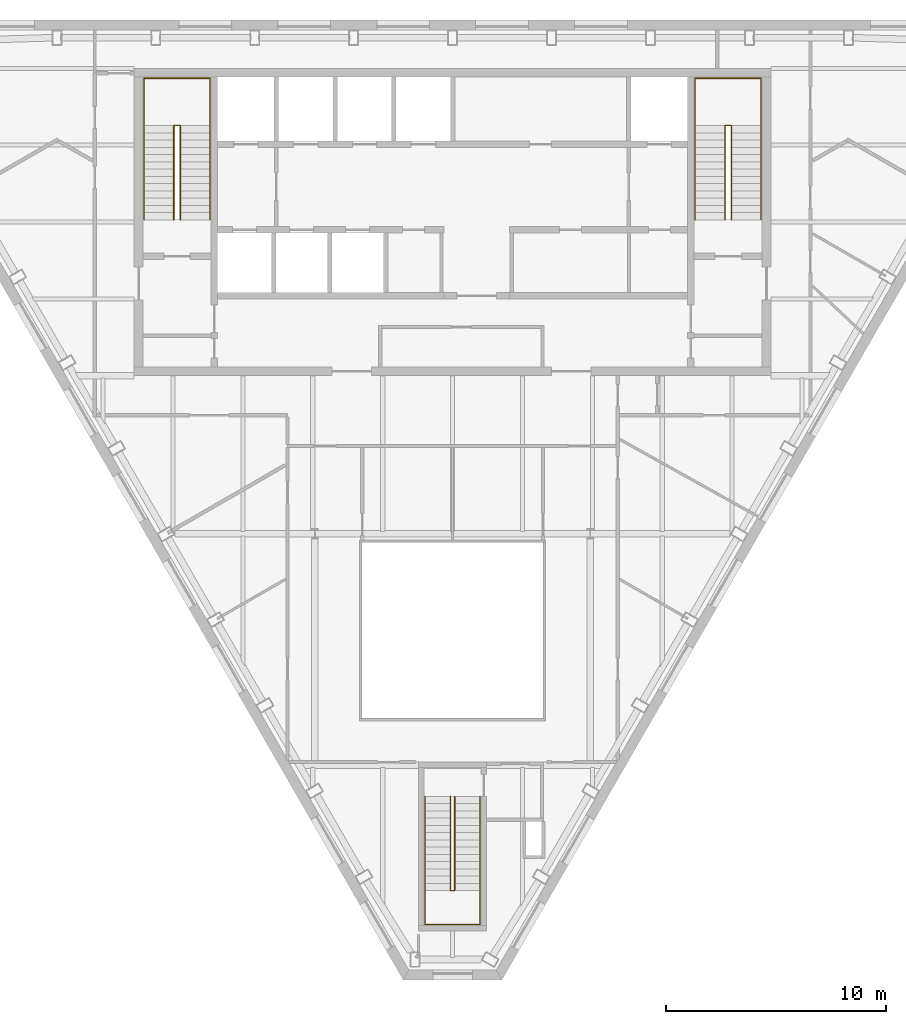
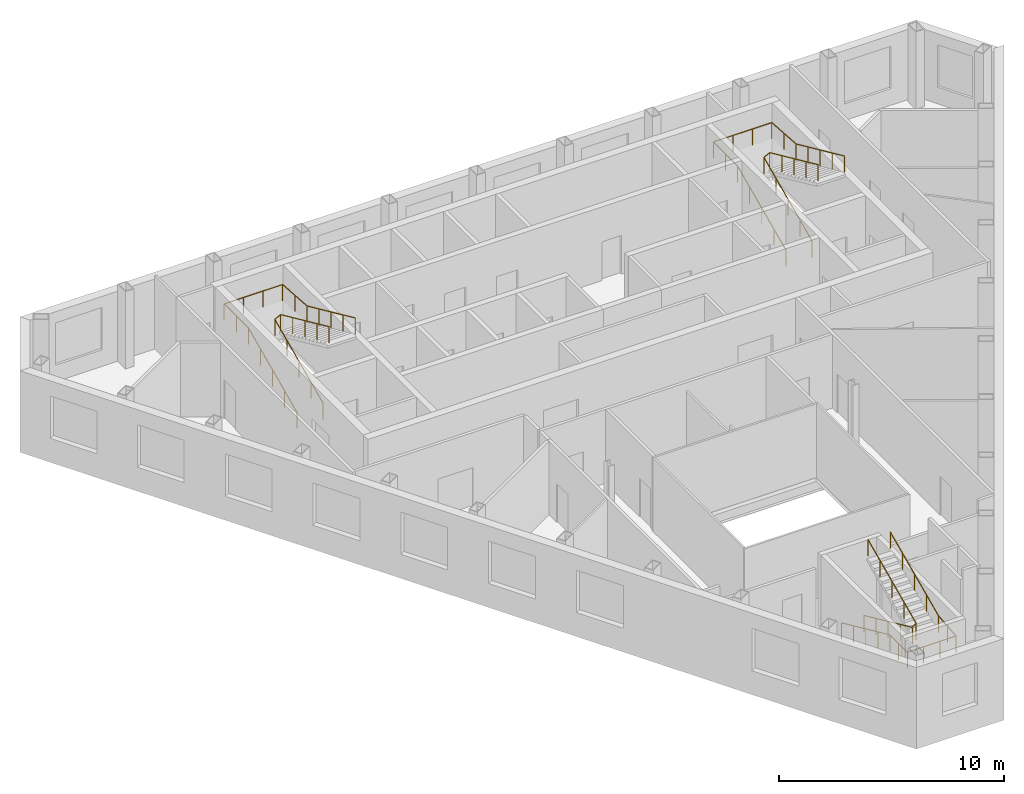
# One storey, part 11 of 11: 6 railings.
"""IFC4 building model written with IfcOpenShell, lengths in metres."""

import ifcopenshell
import ifcopenshell.guid

model = None  # the IFC model being written
_history = None  # IfcOwnerHistory: only IFC2X3 demands one
_inside = {}  # id of a spatial element -> (the spatial element, [elements in it])
_under = {}  # id of a project, library or spatial element -> (it, [spatial elements below it])
_declared = {}  # id of a project -> (the project, [libraries it declares])
_typed = {}  # id of a type object -> (the type object, [elements of that type])
_made_of = {}  # id of a material, layer set ... -> (it, [elements and type objects made of it])


def new_model(schema):
    """Start an empty IFC model of exactly this schema.

    Asked for "IFC4X3", IfcOpenShell would pick the latest addendum, in which some entities
    have other attributes; the version numbers below select the first issue.
    IFC2X3 requires an IfcOwnerHistory on every rooted entity: one is made here for all.
    """
    global model, _history
    if schema == "IFC4X3":
        model = ifcopenshell.file(schema_version=(4, 3, 0, 0))
    else:
        model = ifcopenshell.file(schema=schema)
    _inside.clear()
    _under.clear()
    _declared.clear()
    _typed.clear()
    _made_of.clear()
    _history = None
    if model.schema == "IFC2X3":
        org = make("IfcOrganization", Name="unknown")
        user = make(
            "IfcPersonAndOrganization",
            ThePerson=make("IfcPerson", FamilyName="unknown"),
            TheOrganization=org,
        )
        app = make(
            "IfcApplication",
            ApplicationDeveloper=org,
            Version="unknown",
            ApplicationFullName="unknown",
            ApplicationIdentifier="unknown",
        )
        _history = make(
            "IfcOwnerHistory",
            OwningUser=user,
            OwningApplication=app,
            ChangeAction="ADDED",
            CreationDate=0,
        )
    return model


def make(cls, **values):
    """One entity of the class cls with the attributes given. An attribute that is None is left unset."""
    return model.create_entity(
        cls, **{name: value for name, value in values.items() if value is not None}
    )


def rooted(cls, **values):
    """An entity with a GlobalId (a new one), such as an element, a storey or a relation."""
    return make(cls, GlobalId=ifcopenshell.guid.new(), OwnerHistory=_history, **values)


def si_unit(unit_type, name, prefix=None):
    """IfcSIUnit, for example si_unit("LENGTHUNIT", "METRE", prefix="MILLI")."""
    return make("IfcSIUnit", UnitType=unit_type, Prefix=prefix, Name=name)


def assignment(units):
    """IfcUnitAssignment: the units of a project."""
    return None if units is None else make("IfcUnitAssignment", Units=units)


def point(xyz):
    """IfcCartesianPoint."""
    return None if xyz is None else make("IfcCartesianPoint", Coordinates=xyz)


def direction(xyz):
    """IfcDirection."""
    return None if xyz is None else make("IfcDirection", DirectionRatios=xyz)


def frame(location, z_axis=None, x_axis=None):
    """IfcAxis2Placement3D, a coordinate frame: its origin and axes. An axis left out is left unset."""
    return make(
        "IfcAxis2Placement3D",
        Location=point(location),
        Axis=direction(z_axis),
        RefDirection=direction(x_axis),
    )


def frame_2d(location, x_axis=None):
    """IfcAxis2Placement2D, a coordinate frame in the plane: its origin and x axis."""
    return make(
        "IfcAxis2Placement2D", Location=point(location), RefDirection=direction(x_axis)
    )


def origin():
    """The frame at (0, 0, 0) with its axes left unset."""
    return frame((0.0, 0.0, 0.0))


def origin_2d():
    """The frame at (0, 0) in the plane with its x axis left unset."""
    return frame_2d((0.0, 0.0))


def place(relative_to, where):
    """IfcLocalPlacement: puts the frame where relative to a parent placement (None: the world)."""
    return make(
        "IfcLocalPlacement", PlacementRelTo=relative_to, RelativePlacement=where
    )


def context(
    kind, dimensions, precision=None, world=None, true_north=None, identifier=None
):
    """IfcGeometricRepresentationContext, for example the 3D "Model" context."""
    return make(
        "IfcGeometricRepresentationContext",
        ContextIdentifier=identifier,
        ContextType=kind,
        CoordinateSpaceDimension=dimensions,
        Precision=precision,
        WorldCoordinateSystem=world,
        TrueNorth=true_north,
    )


def subcontext(parent, identifier, kind, view, scale=None):
    """IfcGeometricRepresentationSubContext, for example "Body" below "Model"."""
    return make(
        "IfcGeometricRepresentationSubContext",
        ContextIdentifier=identifier,
        ContextType=kind,
        ParentContext=parent,
        TargetScale=scale,
        TargetView=view,
    )


def project(units=None, contexts=None):
    """IfcProject with its units and contexts."""
    return rooted(
        "IfcProject",
        Name="project",
        RepresentationContexts=contexts,
        UnitsInContext=assignment(units),
    )


def spatial(cls, under=None, at=None, **own):
    """A site, building, storey or space (cls), placed at a placement, below another one or the project."""
    s = rooted(cls, ObjectPlacement=at, **own)
    if under is not None:
        _under.setdefault(under.id(), (under, []))[1].append(s)
    return s


def profile(cls, at=None, kind="AREA", **sizes):
    """A parametric profile (cls). Its sizes go by their IFC names, for example OverallWidth=200.0."""
    return make(cls, ProfileType=kind, Position=at, **sizes)


def circle(**sizes):
    """IfcCircleProfileDef."""
    return profile("IfcCircleProfileDef", **sizes)


def extrude(swept, where, along, depth):
    """IfcExtrudedAreaSolid: the profile swept, set in the frame where, extruded along a direction by depth."""
    return make(
        "IfcExtrudedAreaSolid",
        SweptArea=swept,
        Position=where,
        ExtrudedDirection=direction(along),
        Depth=depth,
    )


def shape(context_of_items, identifier, shape_type, items):
    """IfcShapeRepresentation: the items that make up one representation, for example the "Body"."""
    return make(
        "IfcShapeRepresentation",
        ContextOfItems=context_of_items,
        RepresentationIdentifier=identifier,
        RepresentationType=shape_type,
        Items=items,
    )


def material(Name=None, Category=None):
    """IfcMaterial."""
    return make("IfcMaterial", Name=Name, Category=Category)


def made_of(thing, what):
    """Note that an element or type object is made of a material, layer set ...; save() writes the relation."""
    if what is not None:
        _made_of.setdefault(what.id(), (what, []))[1].append(thing)
    return thing


def type_object(cls, material=None, **own):
    """A type object (cls), such as IfcWallType, which elements share."""
    return made_of(rooted(cls, **own), material)


def element(
    cls,
    number,
    at=None,
    inside=None,
    cuts=None,
    type_object=None,
    material=None,
    context=None,
    identifier="Body",
    shape_type=None,
    held_by="IfcProductDefinitionShape",
    body=None,
    shapes=None,
    **own,
):
    """One element of the class cls, such as IfcWall. Its Tag is "e" and its number.

    at: its placement. inside: the storey or other place that contains it. cuts: it is an
    opening in that element (IfcRelVoidsElement). A single representation is given by context,
    identifier, shape_type and body (its items); several are given by shapes. held_by: the class
    of the entity that holds the representations. save() writes the other relations.
    """
    e = rooted(cls, Tag="e%d" % number, ObjectPlacement=at, **own)
    if body is not None:
        shapes = [shape(context, identifier, shape_type, body)]
    if shapes is not None:
        e.Representation = make(held_by, Representations=shapes)
    if inside is not None:
        _inside.setdefault(inside.id(), (inside, []))[1].append(e)
    if cuts is not None:
        rooted(
            "IfcRelVoidsElement", RelatingBuildingElement=cuts, RelatedOpeningElement=e
        )
    if type_object is not None:
        _typed.setdefault(type_object.id(), (type_object, []))[1].append(e)
    return made_of(e, material)


def aggregate(whole, parts):
    """IfcRelAggregates: a whole, such as a stair, and the parts it consists of."""
    return rooted("IfcRelAggregates", RelatingObject=whole, RelatedObjects=parts)


def save(model, path):
    """Write the relations noted so far, then the file.

    IfcRelAggregates (storeys below a building ...), IfcRelContainedInSpatialStructure (elements
    in a storey), IfcRelDefinesByType, IfcRelAssociatesMaterial and IfcRelDeclares: one each for
    every whole, place, type object, material and project.
    """
    for whole, parts in _under.values():
        aggregate(whole, parts)
    for where, things in _inside.values():
        rooted(
            "IfcRelContainedInSpatialStructure",
            RelatedElements=things,
            RelatingStructure=where,
        )
    for kind, things in _typed.values():
        rooted("IfcRelDefinesByType", RelatedObjects=things, RelatingType=kind)
    for what, things in _made_of.values():
        rooted("IfcRelAssociatesMaterial", RelatedObjects=things, RelatingMaterial=what)
    for by, libraries in _declared.values():
        rooted("IfcRelDeclares", RelatingContext=by, RelatedDefinitions=libraries)
    model.write(path)


model = new_model("IFC4")

# Units and contexts
model_context = context("Model", 3, precision=1e-05, world=origin(), true_north=direction((0.0, 1.0)))
body_context = subcontext(model_context, "Body", "Model", "MODEL_VIEW")
ifc_project = project(units=[si_unit("LENGTHUNIT", "METRE"), si_unit("AREAUNIT", "SQUARE_METRE"), si_unit("VOLUMEUNIT", "CUBIC_METRE"), si_unit("PLANEANGLEUNIT", "RADIAN"), si_unit("MASSUNIT", "GRAM", prefix="KILO")], contexts=[model_context])

# Site, building, storey
site_placement = place(None, origin())
site = spatial("IfcSite", under=ifc_project, at=site_placement, CompositionType="ELEMENT")
building_placement = place(site_placement, origin())
building = spatial("IfcBuilding", under=site, at=building_placement, Name="Njiva Tower", CompositionType="ELEMENT")
storey_placement = place(building_placement, frame((0.0, 0.0, 316.8)))
storey = spatial("IfcBuildingStorey", under=building, at=storey_placement, Name="L72", CompositionType="ELEMENT", Elevation=316.8)

# Railings
ifc_material = material(Name="Stainless steel", Category="steel")
railing_type = type_object("IfcRailingType", Name="RL1 Stair handrail 900", PredefinedType="HANDRAIL", material=ifc_material)
railing_1_placement = place(storey_placement, frame((-14.05, 11.1, 0.15)))
element("IfcRailing", 1, at=railing_1_placement, inside=storey, type_object=railing_type, Name="Stair A handrail", PredefinedType="HANDRAIL", context=body_context, shape_type="SweptSolid", body=[
    extrude(circle(Radius=0.024, at=origin_2d()), frame((0.0, 0.0, 0.876), z_axis=(0.0, 0.910366477463, 0.413802944301), x_axis=(-1.0, 0.0, 0.0)), (0.0, 0.0, 1.0), 4.7124),
    extrude(circle(Radius=0.024, at=origin_2d()), frame((0.0, 4.29, 2.826), z_axis=(0.0, 1.0, 0.0), x_axis=(-1.0, 0.0, 0.0)), (0.0, 0.0, 1.0), 2.16),
    extrude(circle(Radius=0.024, at=origin_2d()), frame((0.0, 6.45, 2.826), z_axis=(1.0, 0.0, 0.0), x_axis=(0.0, 1.0, 0.0)), (0.0, 0.0, 1.0), 3.0),
    extrude(circle(Radius=0.024, at=origin_2d()), frame((3.0, 6.45, 2.826), z_axis=(0.0, -0.997597420968, 0.069277598678), x_axis=(1.0, 0.0, 0.0)), (0.0, 0.0, 1.0), 2.1652),
    extrude(circle(Radius=0.024, at=origin_2d()), frame((3.0, 4.29, 2.976), z_axis=(0.0, -0.910366477463, 0.413802944301), x_axis=(1.0, 0.0, 0.0)), (0.0, 0.0, 1.0), 4.7124),
    extrude(circle(Radius=0.021, at=origin_2d()), origin(), (0.0, 0.0, 1.0), 0.852),
    extrude(circle(Radius=0.021, at=origin_2d()), frame((0.0, 1.0725, 0.4875)), (0.0, 0.0, 1.0), 0.852),
    extrude(circle(Radius=0.021, at=origin_2d()), frame((0.0, 2.145, 0.975)), (0.0, 0.0, 1.0), 0.852),
    extrude(circle(Radius=0.021, at=origin_2d()), frame((0.0, 3.2175, 1.4625)), (0.0, 0.0, 1.0), 0.852),
    extrude(circle(Radius=0.021, at=origin_2d()), frame((0.0, 4.29, 1.95)), (0.0, 0.0, 1.0), 0.852),
    extrude(circle(Radius=0.021, at=origin_2d()), frame((0.0, 5.37, 1.95)), (0.0, 0.0, 1.0), 0.852),
    extrude(circle(Radius=0.021, at=origin_2d()), frame((0.0, 6.45, 1.95)), (0.0, 0.0, 1.0), 0.852),
    extrude(circle(Radius=0.021, at=origin_2d()), frame((1.0, 6.45, 1.95)), (0.0, 0.0, 1.0), 0.852),
    extrude(circle(Radius=0.021, at=origin_2d()), frame((2.0, 6.45, 1.95)), (0.0, 0.0, 1.0), 0.852),
    extrude(circle(Radius=0.021, at=origin_2d()), frame((3.0, 6.45, 1.95)), (0.0, 0.0, 1.0), 0.852),
    extrude(circle(Radius=0.021, at=origin_2d()), frame((3.0, 5.37, 2.025)), (0.0, 0.0, 1.0), 0.852),
    extrude(circle(Radius=0.021, at=origin_2d()), frame((3.0, 4.29, 2.1)), (0.0, 0.0, 1.0), 0.852),
    extrude(circle(Radius=0.021, at=origin_2d()), frame((3.0, 3.2175, 2.5875)), (0.0, 0.0, 1.0), 0.852),
    extrude(circle(Radius=0.021, at=origin_2d()), frame((3.0, 2.145, 3.075)), (0.0, 0.0, 1.0), 0.852),
    extrude(circle(Radius=0.021, at=origin_2d()), frame((3.0, 1.0725, 3.5625)), (0.0, 0.0, 1.0), 0.852),
    extrude(circle(Radius=0.021, at=origin_2d()), frame((3.0, 0.0, 4.05)), (0.0, 0.0, 1.0), 0.852),
])
railing_2_placement = place(storey_placement, frame((-12.7, 11.1, 0.15)))
element("IfcRailing", 2, at=railing_2_placement, inside=storey, type_object=railing_type, Name="Stair A handrail", PredefinedType="HANDRAIL", context=body_context, shape_type="SweptSolid", body=[
    extrude(circle(Radius=0.024, at=origin_2d()), frame((0.0, 0.0, 0.876), z_axis=(0.0, 0.910366477463, 0.413802944301), x_axis=(-1.0, 0.0, 0.0)), (0.0, 0.0, 1.0), 4.7124),
    extrude(circle(Radius=0.024, at=origin_2d()), frame((0.0, 4.29, 2.826), z_axis=(0.894427191, 0.0, 0.4472135955), x_axis=(0.0, 1.0, 0.0)), (0.0, 0.0, 1.0), 0.3354),
    extrude(circle(Radius=0.024, at=origin_2d()), frame((0.3, 4.29, 2.976), z_axis=(0.0, -0.910366477463, 0.413802944301), x_axis=(1.0, 0.0, 0.0)), (0.0, 0.0, 1.0), 4.7124),
    extrude(circle(Radius=0.021, at=origin_2d()), origin(), (0.0, 0.0, 1.0), 0.852),
    extrude(circle(Radius=0.021, at=origin_2d()), frame((0.0, 1.0725, 0.4875)), (0.0, 0.0, 1.0), 0.852),
    extrude(circle(Radius=0.021, at=origin_2d()), frame((0.0, 2.145, 0.975)), (0.0, 0.0, 1.0), 0.852),
    extrude(circle(Radius=0.021, at=origin_2d()), frame((0.0, 3.2175, 1.4625)), (0.0, 0.0, 1.0), 0.852),
    extrude(circle(Radius=0.021, at=origin_2d()), frame((0.0, 4.29, 1.95)), (0.0, 0.0, 1.0), 0.852),
    extrude(circle(Radius=0.021, at=origin_2d()), frame((0.3, 4.29, 2.1)), (0.0, 0.0, 1.0), 0.852),
    extrude(circle(Radius=0.021, at=origin_2d()), frame((0.3, 3.2175, 2.5875)), (0.0, 0.0, 1.0), 0.852),
    extrude(circle(Radius=0.021, at=origin_2d()), frame((0.3, 2.145, 3.075)), (0.0, 0.0, 1.0), 0.852),
    extrude(circle(Radius=0.021, at=origin_2d()), frame((0.3, 1.0725, 3.5625)), (0.0, 0.0, 1.0), 0.852),
    extrude(circle(Radius=0.021, at=origin_2d()), frame((0.3, 0.0, 4.05)), (0.0, 0.0, 1.0), 0.852),
])
railing_3_placement = place(storey_placement, frame((11.05, 11.1, 0.15)))
element("IfcRailing", 3, at=railing_3_placement, inside=storey, type_object=railing_type, Name="Stair B handrail", PredefinedType="HANDRAIL", context=body_context, shape_type="SweptSolid", body=[
    extrude(circle(Radius=0.024, at=origin_2d()), frame((0.0, 0.0, 0.876), z_axis=(0.0, 0.910366477463, 0.413802944301), x_axis=(-1.0, 0.0, 0.0)), (0.0, 0.0, 1.0), 4.7124),
    extrude(circle(Radius=0.024, at=origin_2d()), frame((0.0, 4.29, 2.826), z_axis=(0.0, 1.0, 0.0), x_axis=(-1.0, 0.0, 0.0)), (0.0, 0.0, 1.0), 2.16),
    extrude(circle(Radius=0.024, at=origin_2d()), frame((0.0, 6.45, 2.826), z_axis=(1.0, 0.0, 0.0), x_axis=(0.0, 1.0, 0.0)), (0.0, 0.0, 1.0), 3.0),
    extrude(circle(Radius=0.024, at=origin_2d()), frame((3.0, 6.45, 2.826), z_axis=(0.0, -0.997597420968, 0.069277598678), x_axis=(1.0, 0.0, 0.0)), (0.0, 0.0, 1.0), 2.1652),
    extrude(circle(Radius=0.024, at=origin_2d()), frame((3.0, 4.29, 2.976), z_axis=(0.0, -0.910366477463, 0.413802944301), x_axis=(1.0, 0.0, 0.0)), (0.0, 0.0, 1.0), 4.7124),
    extrude(circle(Radius=0.021, at=origin_2d()), origin(), (0.0, 0.0, 1.0), 0.852),
    extrude(circle(Radius=0.021, at=origin_2d()), frame((0.0, 1.0725, 0.4875)), (0.0, 0.0, 1.0), 0.852),
    extrude(circle(Radius=0.021, at=origin_2d()), frame((0.0, 2.145, 0.975)), (0.0, 0.0, 1.0), 0.852),
    extrude(circle(Radius=0.021, at=origin_2d()), frame((0.0, 3.2175, 1.4625)), (0.0, 0.0, 1.0), 0.852),
    extrude(circle(Radius=0.021, at=origin_2d()), frame((0.0, 4.29, 1.95)), (0.0, 0.0, 1.0), 0.852),
    extrude(circle(Radius=0.021, at=origin_2d()), frame((0.0, 5.37, 1.95)), (0.0, 0.0, 1.0), 0.852),
    extrude(circle(Radius=0.021, at=origin_2d()), frame((0.0, 6.45, 1.95)), (0.0, 0.0, 1.0), 0.852),
    extrude(circle(Radius=0.021, at=origin_2d()), frame((1.0, 6.45, 1.95)), (0.0, 0.0, 1.0), 0.852),
    extrude(circle(Radius=0.021, at=origin_2d()), frame((2.0, 6.45, 1.95)), (0.0, 0.0, 1.0), 0.852),
    extrude(circle(Radius=0.021, at=origin_2d()), frame((3.0, 6.45, 1.95)), (0.0, 0.0, 1.0), 0.852),
    extrude(circle(Radius=0.021, at=origin_2d()), frame((3.0, 5.37, 2.025)), (0.0, 0.0, 1.0), 0.852),
    extrude(circle(Radius=0.021, at=origin_2d()), frame((3.0, 4.29, 2.1)), (0.0, 0.0, 1.0), 0.852),
    extrude(circle(Radius=0.021, at=origin_2d()), frame((3.0, 3.2175, 2.5875)), (0.0, 0.0, 1.0), 0.852),
    extrude(circle(Radius=0.021, at=origin_2d()), frame((3.0, 2.145, 3.075)), (0.0, 0.0, 1.0), 0.852),
    extrude(circle(Radius=0.021, at=origin_2d()), frame((3.0, 1.0725, 3.5625)), (0.0, 0.0, 1.0), 0.852),
    extrude(circle(Radius=0.021, at=origin_2d()), frame((3.0, 0.0, 4.05)), (0.0, 0.0, 1.0), 0.852),
])
railing_4_placement = place(storey_placement, frame((12.4, 11.1, 0.15)))
element("IfcRailing", 4, at=railing_4_placement, inside=storey, type_object=railing_type, Name="Stair B handrail", PredefinedType="HANDRAIL", context=body_context, shape_type="SweptSolid", body=[
    extrude(circle(Radius=0.024, at=origin_2d()), frame((0.0, 0.0, 0.876), z_axis=(0.0, 0.910366477463, 0.413802944301), x_axis=(-1.0, 0.0, 0.0)), (0.0, 0.0, 1.0), 4.7124),
    extrude(circle(Radius=0.024, at=origin_2d()), frame((0.0, 4.29, 2.826), z_axis=(0.894427191, 0.0, 0.4472135955), x_axis=(0.0, 1.0, 0.0)), (0.0, 0.0, 1.0), 0.3354),
    extrude(circle(Radius=0.024, at=origin_2d()), frame((0.3, 4.29, 2.976), z_axis=(0.0, -0.910366477463, 0.413802944301), x_axis=(1.0, 0.0, 0.0)), (0.0, 0.0, 1.0), 4.7124),
    extrude(circle(Radius=0.021, at=origin_2d()), origin(), (0.0, 0.0, 1.0), 0.852),
    extrude(circle(Radius=0.021, at=origin_2d()), frame((0.0, 1.0725, 0.4875)), (0.0, 0.0, 1.0), 0.852),
    extrude(circle(Radius=0.021, at=origin_2d()), frame((0.0, 2.145, 0.975)), (0.0, 0.0, 1.0), 0.852),
    extrude(circle(Radius=0.021, at=origin_2d()), frame((0.0, 3.2175, 1.4625)), (0.0, 0.0, 1.0), 0.852),
    extrude(circle(Radius=0.021, at=origin_2d()), frame((0.0, 4.29, 1.95)), (0.0, 0.0, 1.0), 0.852),
    extrude(circle(Radius=0.021, at=origin_2d()), frame((0.3, 4.29, 2.1)), (0.0, 0.0, 1.0), 0.852),
    extrude(circle(Radius=0.021, at=origin_2d()), frame((0.3, 3.2175, 2.5875)), (0.0, 0.0, 1.0), 0.852),
    extrude(circle(Radius=0.021, at=origin_2d()), frame((0.3, 2.145, 3.075)), (0.0, 0.0, 1.0), 0.852),
    extrude(circle(Radius=0.021, at=origin_2d()), frame((0.3, 1.0725, 3.5625)), (0.0, 0.0, 1.0), 0.852),
    extrude(circle(Radius=0.021, at=origin_2d()), frame((0.3, 0.0, 4.05)), (0.0, 0.0, 1.0), 0.852),
])
railing_5_placement = place(storey_placement, frame((-1.25, -15.16, 0.15)))
element("IfcRailing", 5, at=railing_5_placement, inside=storey, type_object=railing_type, Name="Stair C handrail", PredefinedType="HANDRAIL", context=body_context, shape_type="SweptSolid", body=[
    extrude(circle(Radius=0.024, at=origin_2d()), frame((0.0, 0.0, 0.876), z_axis=(0.0, -0.910366477463, 0.413802944301), x_axis=(1.0, 0.0, 0.0)), (0.0, 0.0, 1.0), 4.7124),
    extrude(circle(Radius=0.024, at=origin_2d()), frame((0.0, -4.29, 2.826), z_axis=(0.0, -1.0, 0.0), x_axis=(1.0, 0.0, 0.0)), (0.0, 0.0, 1.0), 1.55),
    extrude(circle(Radius=0.024, at=origin_2d()), frame((0.0, -5.84, 2.826), z_axis=(1.0, 0.0, 0.0), x_axis=(0.0, 1.0, 0.0)), (0.0, 0.0, 1.0), 2.5),
    extrude(circle(Radius=0.024, at=origin_2d()), frame((2.5, -5.84, 2.826), z_axis=(0.0, 0.995350013555, 0.09632419486), x_axis=(-1.0, 0.0, 0.0)), (0.0, 0.0, 1.0), 1.5572),
    extrude(circle(Radius=0.024, at=origin_2d()), frame((2.5, -4.29, 2.976), z_axis=(0.0, 0.910366477463, 0.413802944301), x_axis=(-1.0, 0.0, 0.0)), (0.0, 0.0, 1.0), 4.7124),
    extrude(circle(Radius=0.021, at=origin_2d()), origin(), (0.0, 0.0, 1.0), 0.852),
    extrude(circle(Radius=0.021, at=origin_2d()), frame((0.0, -1.0725, 0.4875)), (0.0, 0.0, 1.0), 0.852),
    extrude(circle(Radius=0.021, at=origin_2d()), frame((0.0, -2.145, 0.975)), (0.0, 0.0, 1.0), 0.852),
    extrude(circle(Radius=0.021, at=origin_2d()), frame((0.0, -3.2175, 1.4625)), (0.0, 0.0, 1.0), 0.852),
    extrude(circle(Radius=0.021, at=origin_2d()), frame((0.0, -4.29, 1.95)), (0.0, 0.0, 1.0), 0.852),
    extrude(circle(Radius=0.021, at=origin_2d()), frame((0.0, -5.065, 1.95)), (0.0, 0.0, 1.0), 0.852),
    extrude(circle(Radius=0.021, at=origin_2d()), frame((0.0, -5.84, 1.95)), (0.0, 0.0, 1.0), 0.852),
    extrude(circle(Radius=0.021, at=origin_2d()), frame((0.8333, -5.84, 1.95)), (0.0, 0.0, 1.0), 0.852),
    extrude(circle(Radius=0.021, at=origin_2d()), frame((1.6667, -5.84, 1.95)), (0.0, 0.0, 1.0), 0.852),
    extrude(circle(Radius=0.021, at=origin_2d()), frame((2.5, -5.84, 1.95)), (0.0, 0.0, 1.0), 0.852),
    extrude(circle(Radius=0.021, at=origin_2d()), frame((2.5, -5.065, 2.025)), (0.0, 0.0, 1.0), 0.852),
    extrude(circle(Radius=0.021, at=origin_2d()), frame((2.5, -4.29, 2.1)), (0.0, 0.0, 1.0), 0.852),
    extrude(circle(Radius=0.021, at=origin_2d()), frame((2.5, -3.2175, 2.5875)), (0.0, 0.0, 1.0), 0.852),
    extrude(circle(Radius=0.021, at=origin_2d()), frame((2.5, -2.145, 3.075)), (0.0, 0.0, 1.0), 0.852),
    extrude(circle(Radius=0.021, at=origin_2d()), frame((2.5, -1.0725, 3.5625)), (0.0, 0.0, 1.0), 0.852),
    extrude(circle(Radius=0.021, at=origin_2d()), frame((2.5, 0.0, 4.05)), (0.0, 0.0, 1.0), 0.852),
])
railing_6_placement = place(storey_placement, frame((-0.1, -15.16, 0.15)))
element("IfcRailing", 6, at=railing_6_placement, inside=storey, type_object=railing_type, Name="Stair C handrail", PredefinedType="HANDRAIL", context=body_context, shape_type="SweptSolid", body=[
    extrude(circle(Radius=0.024, at=origin_2d()), frame((0.0, 0.0, 0.876), z_axis=(0.0, -0.910366477463, 0.413802944301), x_axis=(1.0, 0.0, 0.0)), (0.0, 0.0, 1.0), 4.7124),
    extrude(circle(Radius=0.024, at=origin_2d()), frame((0.0, -4.29, 2.826), z_axis=(0.8, 0.0, 0.6), x_axis=(0.0, 1.0, 0.0)), (0.0, 0.0, 1.0), 0.25),
    extrude(circle(Radius=0.024, at=origin_2d()), frame((0.2, -4.29, 2.976), z_axis=(0.0, 0.910366477463, 0.413802944301), x_axis=(-1.0, 0.0, 0.0)), (0.0, 0.0, 1.0), 4.7124),
    extrude(circle(Radius=0.021, at=origin_2d()), origin(), (0.0, 0.0, 1.0), 0.852),
    extrude(circle(Radius=0.021, at=origin_2d()), frame((0.0, -1.0725, 0.4875)), (0.0, 0.0, 1.0), 0.852),
    extrude(circle(Radius=0.021, at=origin_2d()), frame((0.0, -2.145, 0.975)), (0.0, 0.0, 1.0), 0.852),
    extrude(circle(Radius=0.021, at=origin_2d()), frame((0.0, -3.2175, 1.4625)), (0.0, 0.0, 1.0), 0.852),
    extrude(circle(Radius=0.021, at=origin_2d()), frame((0.0, -4.29, 1.95)), (0.0, 0.0, 1.0), 0.852),
    extrude(circle(Radius=0.021, at=origin_2d()), frame((0.2, -4.29, 2.1)), (0.0, 0.0, 1.0), 0.852),
    extrude(circle(Radius=0.021, at=origin_2d()), frame((0.2, -3.2175, 2.5875)), (0.0, 0.0, 1.0), 0.852),
    extrude(circle(Radius=0.021, at=origin_2d()), frame((0.2, -2.145, 3.075)), (0.0, 0.0, 1.0), 0.852),
    extrude(circle(Radius=0.021, at=origin_2d()), frame((0.2, -1.0725, 3.5625)), (0.0, 0.0, 1.0), 0.852),
    extrude(circle(Radius=0.021, at=origin_2d()), frame((0.2, 0.0, 4.05)), (0.0, 0.0, 1.0), 0.852),
])

save(model, "model.ifc")
